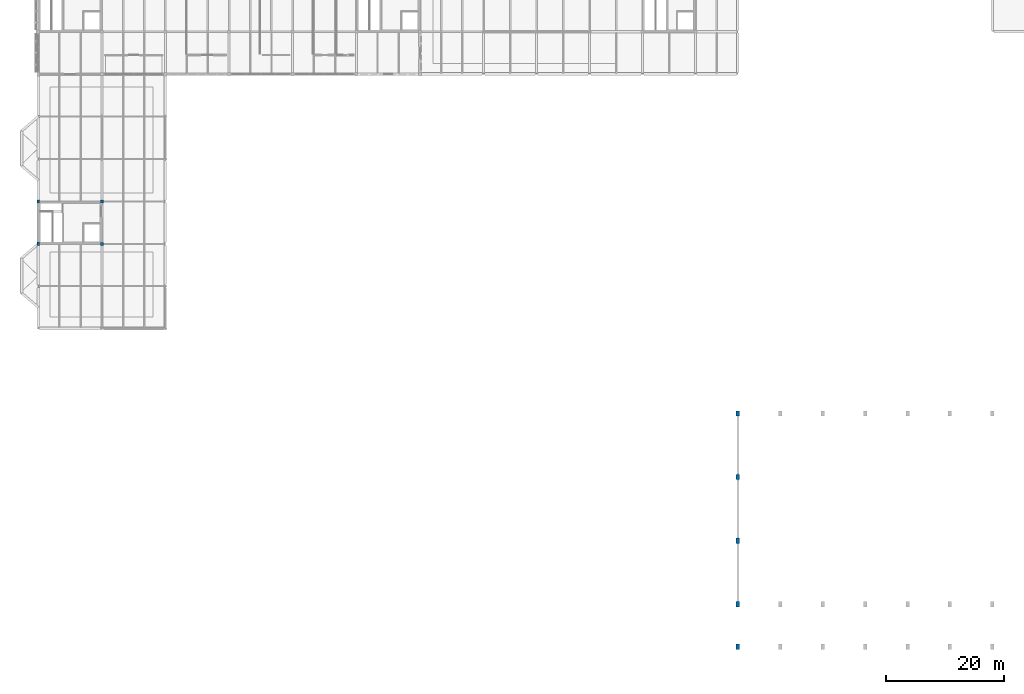
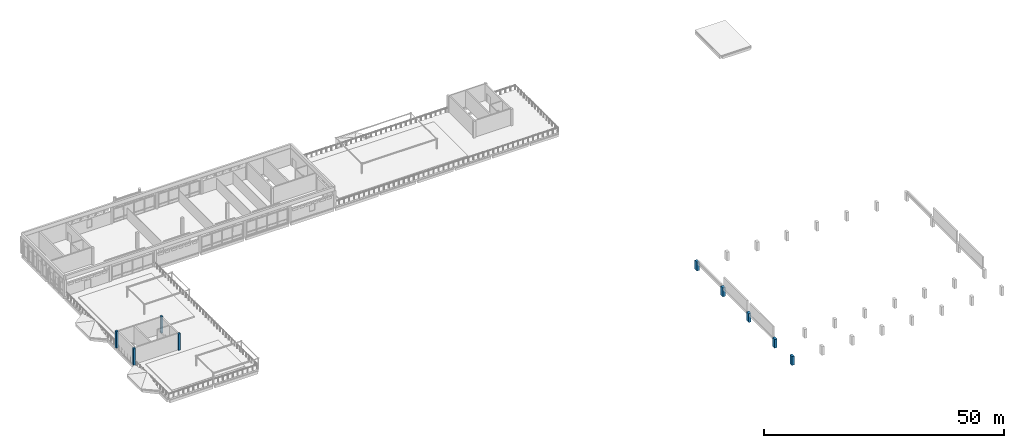
# One storey, part 2 of 33: 9 columns.
"""IFC4 building model written with IfcOpenShell, lengths in metres."""

from ifc_helpers import new_model, si_unit, direction, frame, origin, origin_2d, place, context, subcontext, project, spatial, rectangle, extrude, material, material_profile, profile_set, type_object, element, save


model = new_model("IFC4")

# Units and contexts
model_context = context("Model", 3, precision=1e-05, world=origin(), true_north=direction((0.0, 1.0)))
body_context = subcontext(model_context, "Body", "Model", "MODEL_VIEW")
ifc_project = project(units=[si_unit("LENGTHUNIT", "METRE"), si_unit("AREAUNIT", "SQUARE_METRE"), si_unit("VOLUMEUNIT", "CUBIC_METRE"), si_unit("PLANEANGLEUNIT", "RADIAN"), si_unit("MASSUNIT", "GRAM", prefix="KILO")], contexts=[model_context])

# Site, building, storey
site_placement = place(None, origin())
site = spatial("IfcSite", under=ifc_project, at=site_placement, CompositionType="ELEMENT")
building_placement = place(site_placement, origin())
building = spatial("IfcBuilding", under=site, at=building_placement, Name="Lusvemor Sports Hall", CompositionType="ELEMENT")
storey_placement = place(building_placement, frame((0.0, 0.0, 19.199951171875)))
storey = spatial("IfcBuildingStorey", under=building, at=storey_placement, Name="L04", CompositionType="ELEMENT", Elevation=19.199951171875)

# Columns
ifc_material_1 = material(Name="Concrete C40/50", Category="concrete")
ifc_material_profile_1 = material_profile(ifc_material_1, rectangle(XDim=0.60009765625, YDim=0.89990234375, at=origin_2d()), Name="RC600x900")
ifc_profile_set_1 = profile_set([ifc_material_profile_1], Name="Concrete C40/50")
column_type_1 = type_object("IfcColumnType", Name="COL_STACK_E", PredefinedType="COLUMN", material=ifc_profile_set_1)
for number, where, z_axis, x_axis, name in (
    (1, (118.800048828125, 0.0, 0.0), (0.0, 0.0, 1.0), (1.0, 0.0, 0.0), "Column 13/A (L04)"),
    (2, (118.800048828125, 7.199951171875, 0.0), (0.0, 0.0, 1.0), (1.0, 0.0, 0.0), "Column 13/B (L04)"),
    (3, (118.800048828125, 18.0, 0.0), (0.0, 0.0, 1.0), (1.0, 0.0, 0.0), "Column 13/C (L04)"),
    (4, (118.800048828125, 28.800048828125, 0.0), (0.0, 0.0, 1.0), (1.0, 0.0, 0.0), "Column 13/D (L04)"),
    (5, (118.800048828125, 39.60009765625, 0.0), (0.0, 0.0, 1.0), (1.0, 0.0, 0.0), "Column 13/E (L04)"),
):
    element("IfcColumn", number, at=place(storey_placement, frame(where, z_axis=z_axis, x_axis=x_axis)), inside=storey, type_object=column_type_1, Name=name, PredefinedType="COLUMN", context=body_context, shape_type="SweptSolid", body=[
        extrude(rectangle(XDim=0.60009765625, YDim=0.89990234375, at=origin_2d()), origin(), (0.0, 0.0, 1.0), 2.239990234375),
    ])
ifc_material_2 = material(Name="Concrete C40/50", Category="concrete")
ifc_material_profile_2 = material_profile(ifc_material_2, rectangle(XDim=0.47998046875, YDim=0.5400390625, at=origin_2d()), Name="RC480x540")
ifc_profile_set_2 = profile_set([ifc_material_profile_2], Name="Concrete C40/50")
column_type_2 = type_object("IfcColumnType", Name="COL_UPPER_E", PredefinedType="COLUMN", material=ifc_profile_set_2)
for number, where, z_axis, x_axis, name in (
    (6, (0.0, 68.39990234375, 0.0), (0.0, 0.0, 1.0), (1.0, 0.0, 0.0), "Column 1/J (L04)"),
    (7, (0.0, 75.60009765625, 0.0), (0.0, 0.0, 1.0), (1.0, 0.0, 0.0), "Column 1/K (L04)"),
):
    element("IfcColumn", number, at=place(storey_placement, frame(where, z_axis=z_axis, x_axis=x_axis)), inside=storey, type_object=column_type_2, Name=name, PredefinedType="COLUMN", context=body_context, shape_type="SweptSolid", body=[
        extrude(rectangle(XDim=0.47998046875, YDim=0.5400390625, at=origin_2d()), origin(), (0.0, 0.0, 1.0), 4.199951171875),
    ])
ifc_material_3 = material(Name="Concrete C40/50", Category="concrete")
ifc_material_profile_3 = material_profile(ifc_material_3, rectangle(XDim=0.5, YDim=0.5, at=origin_2d()), Name="RC500x500")
ifc_profile_set_3 = profile_set([ifc_material_profile_3], Name="Concrete C40/50")
column_type_3 = type_object("IfcColumnType", Name="COL_UPPER_I", PredefinedType="COLUMN", material=ifc_profile_set_3)
for number, where, z_axis, x_axis, name in (
    (8, (10.800048828125, 68.39990234375, 0.0), (0.0, 0.0, 1.0), (1.0, 0.0, 0.0), "Column 2/J (L04)"),
    (9, (10.800048828125, 75.60009765625, 0.0), (0.0, 0.0, 1.0), (1.0, 0.0, 0.0), "Column 2/K (L04)"),
):
    element("IfcColumn", number, at=place(storey_placement, frame(where, z_axis=z_axis, x_axis=x_axis)), inside=storey, type_object=column_type_3, Name=name, PredefinedType="COLUMN", context=body_context, shape_type="SweptSolid", body=[
        extrude(rectangle(XDim=0.5, YDim=0.5, at=origin_2d()), origin(), (0.0, 0.0, 1.0), 4.199951171875),
    ])

save(model, "model.ifc")
